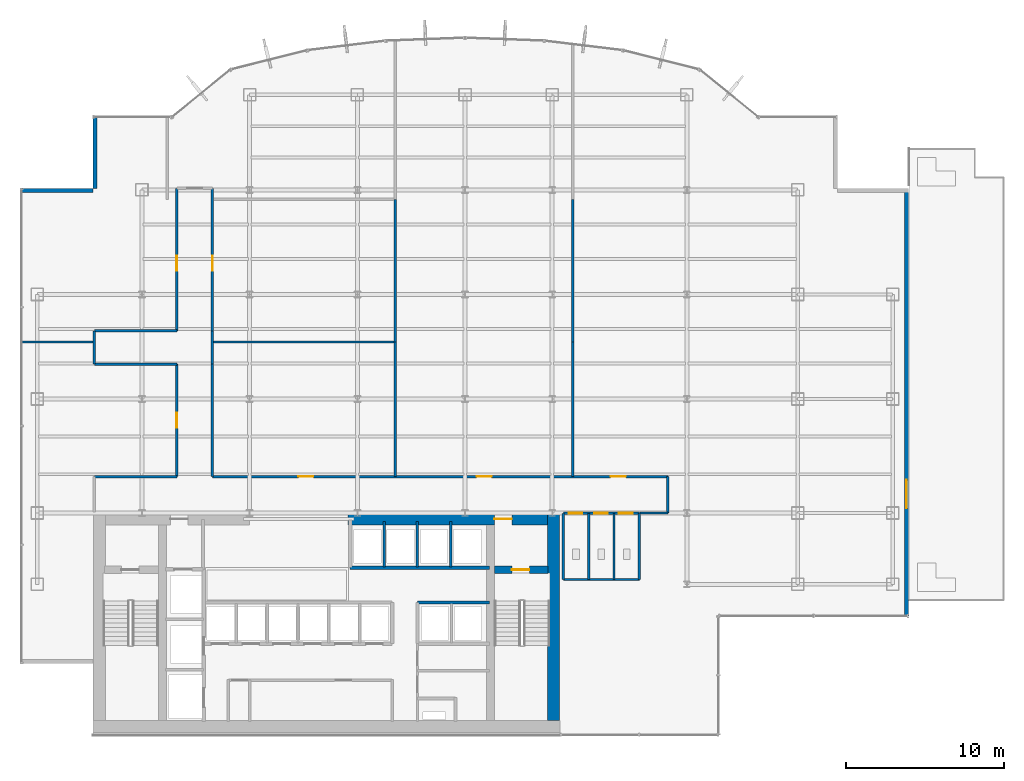
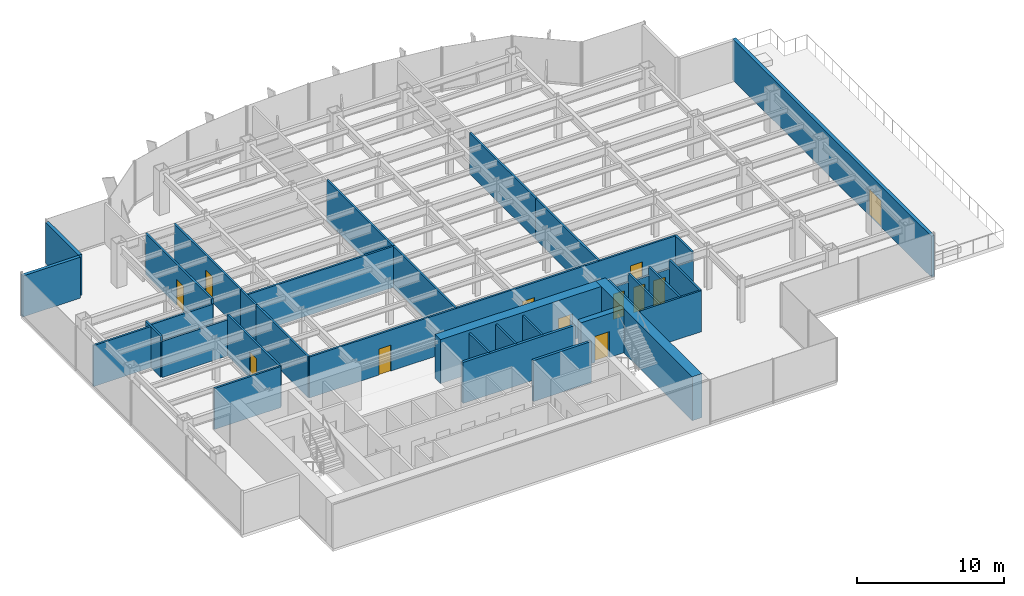
# One storey, part 21 of 25: 35 walls, 12 doors, 12 openings.
"""IFC4 building model written with IfcOpenShell, lengths in metres."""

from ifc_helpers import new_model, si_unit, derived_unit, direction, frame, frame_2d, origin, place, context, subcontext, project, spatial, rectangle, extrude, source, transform, mapped, material, layer, layer_set, type_object, element, fill, save


model = new_model("IFC4")

# Units and contexts
model_context = context("Model", 3, precision=1e-05, world=origin(), true_north=direction((0.0, 1.0)))
body_context = subcontext(model_context, "Body", "Model", "MODEL_VIEW")
ifc_project = project(units=[si_unit("LENGTHUNIT", "METRE"), si_unit("AREAUNIT", "SQUARE_METRE"), si_unit("VOLUMEUNIT", "CUBIC_METRE"), si_unit("PLANEANGLEUNIT", "RADIAN"), si_unit("MASSUNIT", "GRAM", prefix="KILO"), derived_unit("THERMALTRANSMITTANCEUNIT", [(si_unit("POWERUNIT", "WATT"), 1), (si_unit("LENGTHUNIT", "METRE"), -2), (si_unit("THERMODYNAMICTEMPERATUREUNIT", "KELVIN"), -1)])], contexts=[model_context])

# Site, building, storey
site_placement = place(None, origin())
site = spatial("IfcSite", under=ifc_project, at=site_placement, CompositionType="ELEMENT")
building_placement = place(site_placement, origin())
building = spatial("IfcBuilding", under=site, at=building_placement, Name="Skarnbrae Concourse Arena and Tower", CompositionType="ELEMENT")
storey_placement = place(building_placement, frame((0.0, 0.0, 88.64990234375)))
storey = spatial("IfcBuildingStorey", under=building, at=storey_placement, Name="L21", CompositionType="ELEMENT", Elevation=88.64990234375)

# Wall, opening, door
ifc_material_1 = material(Name="Concrete 50 MPa (C50/60)", Category="concrete")
ifc_layer_1 = layer(ifc_material_1, 0.449951171875)
ifc_layer_set_1 = layer_set([ifc_layer_1], Name="Concrete 50 MPa (C50/60)")
wall_type_1 = type_object("IfcWallType", Name="WALL-CORE-450-C50", PredefinedType="SHEAR", material=ifc_layer_set_1)
shared_shape_1 = source(origin(), body_context, "Body", "SweptSolid", [
    extrude(rectangle(XDim=3.389892578125, YDim=0.449951171875, at=frame_2d((1.69482421875, 0.0))), origin(), (0.0, 0.0, 1.0), 3.650146484375),
])
wall_1_placement = place(storey_placement, frame((29.860107421875, 10.419921875, 0.0), z_axis=(0.0, 0.0, 1.0), x_axis=(1.0, 0.0, 0.0)))
wall_1 = element("IfcWall", 1, at=wall_1_placement, inside=storey, type_object=wall_type_1, Name="L21 Rear core shear wall CW-ST2-N", PredefinedType="SHEAR", context=body_context, shape_type="MappedRepresentation", body=[
    mapped(shared_shape_1, transform((0.0, 0.0, 0.0))),
])
opening_1_placement = place(wall_1_placement, frame((1.10009765625, 0.0, 0.0)))
opening_1 = element("IfcOpeningElement", 2, at=opening_1_placement, cuts=wall_1, Name="Opening DT-03", PredefinedType="OPENING", context=body_context, shape_type="SweptSolid", body=[
    extrude(rectangle(XDim=1.10009765625, YDim=2.14990234375, at=frame_2d((0.550048828125, 1.074951171875))), frame((0.0, 0.23486328125, 0.0), z_axis=(0.0, -1.0, 0.0), x_axis=(1.0, 0.0, 0.0)), (0.0, 0.0, 1.0), 0.469970703125),
])
ifc_material_2 = material(Name="Steel CSA G40.21 350W", Category="steel")
door_type_1 = type_object("IfcDoorType", Name="DOOR-FIRE-1100-90M", OperationType="NOTDEFINED", PredefinedType="DOOR", material=ifc_material_2)
shared_shape_2 = source(origin(), body_context, "Body", "SweptSolid", [
    extrude(rectangle(XDim=1.10009765625, YDim=2.14990234375, at=frame_2d((0.550048828125, 1.074951171875))), frame((0.0, 0.02490234375, 0.0), z_axis=(0.0, -1.0, 0.0), x_axis=(1.0, 0.0, 0.0)), (0.0, 0.0, 1.0), 0.050048828125),
])
door_1_placement = place(opening_1_placement, frame((1.10009765625, 0.0, 0.0), z_axis=(0.0, 0.0, 1.0), x_axis=(-1.0, 0.0, 0.0)))
door_1 = element("IfcDoor", 3, at=door_1_placement, inside=storey, type_object=door_type_1, Name="D-0734 Stair ST-2 Door", OperationType="SINGLE_SWING_RIGHT", OverallHeight=2.14990234375, OverallWidth=1.10009765625, PredefinedType="DOOR", context=body_context, shape_type="MappedRepresentation", body=[
    mapped(shared_shape_2, transform((0.0, 0.0, 0.0))),
])
fill(opening_1, door_1)

# Wall
ifc_material_3 = material(Name="Concrete 60 MPa (C60/75)", Category="concrete")
ifc_layer_2 = layer(ifc_material_3, 0.75)
ifc_layer_set_2 = layer_set([ifc_layer_2], Name="Concrete 60 MPa (C60/75)")
wall_type_2 = type_object("IfcWallType", Name="WALL-CORE-750-C60", PredefinedType="SHEAR", material=ifc_layer_set_2)
shared_shape_3 = source(origin(), body_context, "Body", "SweptSolid", [
    extrude(rectangle(XDim=13.10009765625, YDim=0.75, at=frame_2d((6.550048828125, 0.0))), origin(), (0.0, 0.0, 1.0), 3.650146484375),
])
wall_2_placement = place(storey_placement, frame((33.574951171875, 0.89990234375, 0.0), z_axis=(0.0, 0.0, 1.0), x_axis=(0.0, 1.0, 0.0)))
element("IfcWall", 4, at=wall_2_placement, inside=storey, type_object=wall_type_2, Name="L21 Rear core shear wall CW-E", PredefinedType="SHEAR", context=body_context, shape_type="MappedRepresentation", body=[
    mapped(shared_shape_3, transform((0.0, 0.0, 0.0))),
])

# Wall, opening, door
shared_shape_4 = source(origin(), body_context, "Body", "SweptSolid", [
    extrude(rectangle(XDim=12.599853515625, YDim=0.75, at=frame_2d((6.2998046875, 0.0))), origin(), (0.0, 0.0, 1.0), 3.650146484375),
])
wall_3_placement = place(storey_placement, frame((20.60009765625, 13.625, 0.0), z_axis=(0.0, 0.0, 1.0), x_axis=(1.0, 0.0, 0.0)))
wall_3 = element("IfcWall", 5, at=wall_3_placement, inside=storey, type_object=wall_type_2, Name="L21 Rear core shear wall CW-NE", PredefinedType="SHEAR", context=body_context, shape_type="MappedRepresentation", body=[
    mapped(shared_shape_4, transform((0.0, 0.0, 0.0))),
])
opening_2_placement = place(wall_3_placement, frame((9.25, 0.0, 0.0)))
opening_2 = element("IfcOpeningElement", 6, at=opening_2_placement, cuts=wall_3, Name="Opening DT-03", PredefinedType="OPENING", context=body_context, shape_type="SweptSolid", body=[
    extrude(rectangle(XDim=1.10009765625, YDim=2.14990234375, at=frame_2d((0.550048828125, 1.074951171875))), frame((0.0, 0.385009765625, 0.0), z_axis=(0.0, -1.0, 0.0), x_axis=(1.0, 0.0, 0.0)), (0.0, 0.0, 1.0), 0.77001953125),
])
door_2_placement = place(opening_2_placement, origin())
door_2 = element("IfcDoor", 7, at=door_2_placement, inside=storey, type_object=door_type_1, Name="D-0736 Stair ST-2 Vestibule Door", OperationType="SINGLE_SWING_LEFT", OverallHeight=2.14990234375, OverallWidth=1.10009765625, PredefinedType="DOOR", context=body_context, shape_type="MappedRepresentation", body=[
    mapped(shared_shape_2, transform((0.0, 0.0, 0.0))),
])
fill(opening_2, door_2)

# Walls
ifc_material_4 = material(Name="Precast concrete 40 MPa (C40/50)", Category="concrete")
ifc_layer_3 = layer(ifc_material_4, 0.25)
ifc_layer_set_3 = layer_set([ifc_layer_3], Name="Precast concrete 40 MPa (C40/50)")
wall_type_3 = type_object("IfcWallType", Name="WALL-EXT-SPANDREL-250", PredefinedType="STANDARD", material=ifc_layer_set_3)
shared_shape_5 = source(origin(), body_context, "Body", "SweptSolid", [
    extrude(rectangle(XDim=4.5, YDim=0.25, at=frame_2d((2.25, 0.0))), origin(), (0.0, 0.0, 1.0), 3.400146484375),
])
for number, where, z_axis, x_axis, name in (
    (8, (4.625, 39.0, 0.0), (0.0, 0.0, 1.0), (0.0, -1.0, 0.0), "L21 Notched corner insulated return wall 17"),
    (9, (4.5, 34.375, 0.0), (0.0, 0.0, 1.0), (-1.0, 0.0, 0.0), "L21 Notched corner insulated return wall 18"),
):
    element("IfcWall", number, at=place(storey_placement, frame(where, z_axis=z_axis, x_axis=x_axis)), inside=storey, type_object=wall_type_3, Name=name, PredefinedType="STANDARD", context=body_context, shape_type="MappedRepresentation", body=[
        mapped(shared_shape_5, transform((0.0, 0.0, 0.0))),
    ])

# Wall, opening, door
shared_shape_6 = source(origin(), body_context, "Body", "SweptSolid", [
    extrude(rectangle(XDim=27.0, YDim=0.25, at=frame_2d((13.5, 0.0))), origin(), (0.0, 0.0, 1.0), 3.400146484375),
])
wall_4_placement = place(storey_placement, frame((55.875, 7.5, 0.0), z_axis=(0.0, 0.0, 1.0), x_axis=(0.0, 1.0, 0.0)))
wall_4 = element("IfcWall", 10, at=wall_4_placement, inside=storey, type_object=wall_type_3, Name="L21 East terrace access facade wall", PredefinedType="STANDARD", context=body_context, shape_type="MappedRepresentation", body=[
    mapped(shared_shape_6, transform((0.0, 0.0, 0.0))),
])
opening_3_placement = place(wall_4_placement, frame((6.800048828125, 0.0, 0.0)))
opening_3 = element("IfcOpeningElement", 11, at=opening_3_placement, cuts=wall_4, Name="Opening DT-02", PredefinedType="OPENING", context=body_context, shape_type="SweptSolid", body=[
    extrude(rectangle(XDim=1.800048828125, YDim=2.199951171875, at=frame_2d((0.89990234375, 1.10009765625))), frame((0.0, 0.135009765625, 0.0), z_axis=(0.0, -1.0, 0.0), x_axis=(1.0, 0.0, 0.0)), (0.0, 0.0, 1.0), 0.27001953125),
])
ifc_material_5 = material(Name="Bronze anodised aluminium 6063-T6", Category="aluminium")
door_type_2 = type_object("IfcDoorType", Name="DOOR-TERRACE-1800", OperationType="DOUBLE_DOOR_SINGLE_SWING", PredefinedType="DOOR", material=ifc_material_5)
shared_shape_7 = source(origin(), body_context, "Body", "SweptSolid", [
    extrude(rectangle(XDim=1.800048828125, YDim=2.199951171875, at=frame_2d((0.89990234375, 1.10009765625))), frame((0.0, 0.02490234375, 0.0), z_axis=(0.0, -1.0, 0.0), x_axis=(1.0, 0.0, 0.0)), (0.0, 0.0, 1.0), 0.050048828125),
])
door_3_placement = place(opening_3_placement, frame((1.800048828125, 0.0, 0.0), z_axis=(0.0, 0.0, 1.0), x_axis=(-1.0, 0.0, 0.0)))
door_3 = element("IfcDoor", 12, at=door_3_placement, inside=storey, type_object=door_type_2, Name="D-0037 L21 Setback Terrace Door", OperationType="DOUBLE_DOOR_SINGLE_SWING", OverallHeight=2.199951171875, OverallWidth=1.800048828125, PredefinedType="DOOR", context=body_context, shape_type="MappedRepresentation", body=[
    mapped(shared_shape_7, transform((0.0, 0.0, 0.0))),
])
fill(opening_3, door_3)

# Walls
ifc_material_6 = material(Name="Gypsum board on cold-formed steel studs", Category="steel")
ifc_layer_4 = layer(ifc_material_6, 0.199951171875)
ifc_layer_set_4 = layer_set([ifc_layer_4], Name="Gypsum board on cold-formed steel studs")
wall_type_4 = type_object("IfcWallType", Name="WALL-PART-200-2HR", PredefinedType="PARTITIONING", material=ifc_layer_set_4)
shared_shape_8 = source(origin(), body_context, "Body", "SweptSolid", [
    extrude(rectangle(XDim=8.800048828125, YDim=0.199951171875, at=frame_2d((4.39990234375, 0.0))), origin(), (0.0, 0.0, 1.0), 3.400146484375),
])
wall_5_placement = place(storey_placement, frame((20.75, 10.550048828125, 0.0), z_axis=(0.0, 0.0, 1.0), x_axis=(1.0, 0.0, 0.0)))
element("IfcWall", 13, at=wall_5_placement, inside=storey, type_object=wall_type_4, Name="L21 Interior partition wall W-L21-B3N-S", PredefinedType="PARTITIONING", context=body_context, shape_type="MappedRepresentation", body=[
    mapped(shared_shape_8, transform((0.0, 0.0, 0.0))),
])
ifc_layer_5 = layer(ifc_material_6, 0.14990234375)
ifc_layer_set_5 = layer_set([ifc_layer_5], Name="Gypsum board on cold-formed steel studs")
wall_type_5 = type_object("IfcWallType", Name="WALL-PART-150", PredefinedType="PARTITIONING", material=ifc_layer_set_5)
shared_shape_9 = source(origin(), body_context, "Body", "SweptSolid", [
    extrude(rectangle(XDim=2.849853515625, YDim=0.14990234375, at=frame_2d((1.4248046875, 0.0))), origin(), (0.0, 0.0, 1.0), 3.400146484375),
])
for number, where, z_axis, x_axis, name in (
    (14, (22.889892578125, 10.60009765625, 0.0), (0.0, 0.0, 1.0), (0.0, 1.0, 0.0), "L21 Interior partition wall W-L21-B3N-P1"),
    (15, (24.989990234375, 10.60009765625, 0.0), (0.0, 0.0, 1.0), (0.0, 1.0, 0.0), "L21 Interior partition wall W-L21-B3N-P2"),
    (16, (27.090087890625, 10.60009765625, 0.0), (0.0, 0.0, 1.0), (0.0, 1.0, 0.0), "L21 Interior partition wall W-L21-B3N-P3"),
):
    element("IfcWall", number, at=place(storey_placement, frame(where, z_axis=z_axis, x_axis=x_axis)), inside=storey, type_object=wall_type_5, Name=name, PredefinedType="PARTITIONING", context=body_context, shape_type="MappedRepresentation", body=[
        mapped(shared_shape_9, transform((0.0, 0.0, 0.0))),
    ])
shared_shape_10 = source(origin(), body_context, "Body", "SweptSolid", [
    extrude(rectangle(XDim=4.550048828125, YDim=0.199951171875, at=frame_2d((2.27490234375, 0.0))), origin(), (0.0, 0.0, 1.0), 3.400146484375),
])
wall_6_placement = place(storey_placement, frame((25.0, 8.35009765625, 0.0), z_axis=(0.0, 0.0, 1.0), x_axis=(1.0, 0.0, 0.0)))
element("IfcWall", 17, at=wall_6_placement, inside=storey, type_object=wall_type_4, Name="L21 Interior partition wall W-L21-B3S-N", PredefinedType="PARTITIONING", context=body_context, shape_type="MappedRepresentation", body=[
    mapped(shared_shape_10, transform((0.0, 0.0, 0.0))),
])
shared_shape_11 = source(origin(), body_context, "Body", "SweptSolid", [
    extrude(rectangle(XDim=4.800048828125, YDim=0.14990234375, at=frame_2d((2.39990234375, 0.0))), origin(), (0.0, 0.0, 1.0), 3.400146484375),
])
wall_7_placement = place(storey_placement, frame((34.199951171875, 9.800048828125, 0.0), z_axis=(0.0, 0.0, 1.0), x_axis=(1.0, 0.0, 0.0)))
element("IfcWall", 18, at=wall_7_placement, inside=storey, type_object=wall_type_5, Name="L21 Interior partition wall W-L21-WC-S", PredefinedType="PARTITIONING", context=body_context, shape_type="MappedRepresentation", body=[
    mapped(shared_shape_11, transform((0.0, 0.0, 0.0))),
])
shared_shape_12 = source(origin(), body_context, "Body", "SweptSolid", [
    extrude(rectangle(XDim=4.179931640625, YDim=0.14990234375, at=frame_2d((2.08984375, 0.0))), origin(), (0.0, 0.0, 1.0), 3.400146484375),
])
for number, where, z_axis, x_axis, name in (
    (19, (39.0, 9.800048828125, 0.0), (0.0, 0.0, 1.0), (0.0, 1.0, 0.0), "L21 Interior partition wall W-L21-WC-E"),
    (20, (34.199951171875, 9.800048828125, 0.0), (0.0, 0.0, 1.0), (0.0, 1.0, 0.0), "L21 Interior partition wall W-L21-WC-W"),
    (21, (35.800048828125, 9.800048828125, 0.0), (0.0, 0.0, 1.0), (0.0, 1.0, 0.0), "L21 Interior partition wall W-L21-WC-D1"),
    (22, (37.39990234375, 9.800048828125, 0.0), (0.0, 0.0, 1.0), (0.0, 1.0, 0.0), "L21 Interior partition wall W-L21-WC-D2"),
):
    element("IfcWall", number, at=place(storey_placement, frame(where, z_axis=z_axis, x_axis=x_axis)), inside=storey, type_object=wall_type_5, Name=name, PredefinedType="PARTITIONING", context=body_context, shape_type="MappedRepresentation", body=[
        mapped(shared_shape_12, transform((0.0, 0.0, 0.0))),
    ])

# Wall, openings, doors
shared_shape_13 = source(origin(), body_context, "Body", "SweptSolid", [
    extrude(rectangle(XDim=4.800048828125, YDim=0.14990234375, at=frame_2d((2.39990234375, 0.0))), origin(), (0.0, 0.0, 1.0), 2.7021484375),
])
wall_8_placement = place(storey_placement, frame((34.199951171875, 13.97998046875, 0.0), z_axis=(0.0, 0.0, 1.0), x_axis=(1.0, 0.0, 0.0)))
wall_8 = element("IfcWall", 23, at=wall_8_placement, inside=storey, type_object=wall_type_5, Name="L21 Interior partition wall W-L21-WC-N", PredefinedType="PARTITIONING", context=body_context, shape_type="MappedRepresentation", body=[
    mapped(shared_shape_13, transform((0.0, 0.0, 0.0))),
])
opening_4_placement = place(wall_8_placement, frame((0.35009765625, 0.0, 0.0)))
opening_4 = element("IfcOpeningElement", 24, at=opening_4_placement, cuts=wall_8, Name="Opening DT-06", PredefinedType="OPENING", context=body_context, shape_type="SweptSolid", body=[
    extrude(rectangle(XDim=0.85009765625, YDim=2.10009765625, at=frame_2d((0.425048828125, 1.050048828125))), frame((0.0, 0.0849609375, 0.0), z_axis=(0.0, -1.0, 0.0), x_axis=(1.0, 0.0, 0.0)), (0.0, 0.0, 1.0), 0.169921875),
])
opening_5_placement = place(wall_8_placement, frame((1.949951171875, 0.0, 0.0)))
opening_5 = element("IfcOpeningElement", 25, at=opening_5_placement, cuts=wall_8, Name="Opening DT-06", PredefinedType="OPENING", context=body_context, shape_type="SweptSolid", body=[
    extrude(rectangle(XDim=0.85009765625, YDim=2.10009765625, at=frame_2d((0.425048828125, 1.050048828125))), frame((0.0, 0.0849609375, 0.0), z_axis=(0.0, -1.0, 0.0), x_axis=(1.0, 0.0, 0.0)), (0.0, 0.0, 1.0), 0.169921875),
])
opening_6_placement = place(wall_8_placement, frame((3.5, 0.0, 0.0)))
opening_6 = element("IfcOpeningElement", 26, at=opening_6_placement, cuts=wall_8, Name="Opening DT-05", PredefinedType="OPENING", context=body_context, shape_type="SweptSolid", body=[
    extrude(rectangle(XDim=0.89990234375, YDim=2.10009765625, at=frame_2d((0.449951171875, 1.050048828125))), frame((0.0, 0.0849609375, 0.0), z_axis=(0.0, -1.0, 0.0), x_axis=(1.0, 0.0, 0.0)), (0.0, 0.0, 1.0), 0.169921875),
])
ifc_material_7 = material(Name="Architectural oak veneer timber leaf", Category="wood")
door_type_3 = type_object("IfcDoorType", Name="DOOR-INT-850", OperationType="NOTDEFINED", PredefinedType="DOOR", material=ifc_material_7)
shared_shape_14 = source(origin(), body_context, "Body", "SweptSolid", [
    extrude(rectangle(XDim=0.85009765625, YDim=2.10009765625, at=frame_2d((0.425048828125, 1.050048828125))), frame((0.0, 0.02490234375, 0.0), z_axis=(0.0, -1.0, 0.0), x_axis=(1.0, 0.0, 0.0)), (0.0, 0.0, 1.0), 0.050048828125),
])
door_4_placement = place(opening_4_placement, frame((0.85009765625, 0.0, 0.0), z_axis=(0.0, 0.0, 1.0), x_axis=(-1.0, 0.0, 0.0)))
door_4 = element("IfcDoor", 27, at=door_4_placement, inside=storey, type_object=door_type_3, Name="D-0750 Male Washroom Door", OperationType="SINGLE_SWING_LEFT", OverallHeight=2.10009765625, OverallWidth=0.85009765625, PredefinedType="DOOR", context=body_context, shape_type="MappedRepresentation", body=[
    mapped(shared_shape_14, transform((0.0, 0.0, 0.0))),
])
fill(opening_4, door_4)
door_5_placement = place(opening_5_placement, frame((0.85009765625, 0.0, 0.0), z_axis=(0.0, 0.0, 1.0), x_axis=(-1.0, 0.0, 0.0)))
door_5 = element("IfcDoor", 28, at=door_5_placement, inside=storey, type_object=door_type_3, Name="D-0751 Female Washroom Door", OperationType="SINGLE_SWING_RIGHT", OverallHeight=2.10009765625, OverallWidth=0.85009765625, PredefinedType="DOOR", context=body_context, shape_type="MappedRepresentation", body=[
    mapped(shared_shape_14, transform((0.0, 0.0, 0.0))),
])
fill(opening_5, door_5)
door_type_4 = type_object("IfcDoorType", Name="DOOR-INT-900", OperationType="NOTDEFINED", PredefinedType="DOOR", material=ifc_material_7)
shared_shape_15 = source(origin(), body_context, "Body", "SweptSolid", [
    extrude(rectangle(XDim=0.89990234375, YDim=2.10009765625, at=frame_2d((0.449951171875, 1.050048828125))), frame((0.0, 0.02490234375, 0.0), z_axis=(0.0, -1.0, 0.0), x_axis=(1.0, 0.0, 0.0)), (0.0, 0.0, 1.0), 0.050048828125),
])
door_6_placement = place(opening_6_placement, frame((0.89990234375, 0.0, 0.0), z_axis=(0.0, 0.0, 1.0), x_axis=(-1.0, 0.0, 0.0)))
door_6 = element("IfcDoor", 29, at=door_6_placement, inside=storey, type_object=door_type_4, Name="D-0752 Accessible WC Door", OperationType="SINGLE_SWING_LEFT", OverallHeight=2.10009765625, OverallWidth=0.89990234375, PredefinedType="DOOR", context=body_context, shape_type="MappedRepresentation", body=[
    mapped(shared_shape_15, transform((0.0, 0.0, 0.0))),
])
fill(opening_6, door_6)

# Wall
ifc_layer_6 = layer(ifc_material_6, 0.14990234375)
ifc_layer_set_6 = layer_set([ifc_layer_6], Name="Gypsum board on cold-formed steel studs")
wall_type_6 = type_object("IfcWallType", Name="WALL-PART-150-1HR", PredefinedType="PARTITIONING", material=ifc_layer_set_6)
shared_shape_16 = source(origin(), body_context, "Body", "SweptSolid", [
    extrude(rectangle(XDim=5.199951171875, YDim=0.14990234375, at=frame_2d((2.60009765625, 0.0))), origin(), (0.0, 0.0, 1.0), 3.400146484375),
])
wall_9_placement = place(storey_placement, frame((4.60009765625, 16.300048828125, 0.0), z_axis=(0.0, 0.0, 1.0), x_axis=(1.0, 0.0, 0.0)))
element("IfcWall", 30, at=wall_9_placement, inside=storey, type_object=wall_type_6, Name="L21 Interior partition wall W-L21-COR-02", PredefinedType="PARTITIONING", context=body_context, shape_type="MappedRepresentation", body=[
    mapped(shared_shape_16, transform((0.0, 0.0, 0.0))),
])

# Wall, opening, door
shared_shape_17 = source(origin(), body_context, "Body", "SweptSolid", [
    extrude(rectangle(XDim=7.099853515625, YDim=0.14990234375, at=frame_2d((3.5498046875, 0.0))), origin(), (0.0, 0.0, 1.0), 3.400146484375),
])
wall_10_placement = place(storey_placement, frame((9.800048828125, 16.300048828125, 0.0), z_axis=(0.0, 0.0, 1.0), x_axis=(0.0, 1.0, 0.0)))
wall_10 = element("IfcWall", 31, at=wall_10_placement, inside=storey, type_object=wall_type_6, Name="L21 Interior partition wall W-L21-COR-03", PredefinedType="PARTITIONING", context=body_context, shape_type="MappedRepresentation", body=[
    mapped(shared_shape_17, transform((0.0, 0.0, 0.0))),
])
opening_7_placement = place(wall_10_placement, frame((3.074951171875, 0.0, 0.0)))
opening_7 = element("IfcOpeningElement", 32, at=opening_7_placement, cuts=wall_10, Name="Opening DT-04", PredefinedType="OPENING", context=body_context, shape_type="SweptSolid", body=[
    extrude(rectangle(XDim=0.949951171875, YDim=2.14990234375, at=frame_2d((0.47509765625, 1.074951171875))), frame((0.0, 0.0849609375, 0.0), z_axis=(0.0, -1.0, 0.0), x_axis=(1.0, 0.0, 0.0)), (0.0, 0.0, 1.0), 0.169921875),
])
door_type_5 = type_object("IfcDoorType", Name="DOOR-INT-950-45M", OperationType="NOTDEFINED", PredefinedType="DOOR", material=ifc_material_2)
shared_shape_18 = source(origin(), body_context, "Body", "SweptSolid", [
    extrude(rectangle(XDim=0.949951171875, YDim=2.14990234375, at=frame_2d((0.47509765625, 1.074951171875))), frame((0.0, 0.02490234375, 0.0), z_axis=(0.0, -1.0, 0.0), x_axis=(1.0, 0.0, 0.0)), (0.0, 0.0, 1.0), 0.050048828125),
])
door_7_placement = place(opening_7_placement, origin())
door_7 = element("IfcDoor", 33, at=door_7_placement, inside=storey, type_object=door_type_5, Name="D-0753 L21 Suite Door 01", OperationType="SINGLE_SWING_RIGHT", OverallHeight=2.14990234375, OverallWidth=0.949951171875, PredefinedType="DOOR", context=body_context, shape_type="MappedRepresentation", body=[
    mapped(shared_shape_18, transform((0.0, 0.0, 0.0))),
])
fill(opening_7, door_7)

# Walls
wall_11_placement = place(storey_placement, frame((12.050048828125, 23.39990234375, 0.0), z_axis=(0.0, 0.0, 1.0), x_axis=(0.0, -1.0, 0.0)))
element("IfcWall", 34, at=wall_11_placement, inside=storey, type_object=wall_type_6, Name="L21 Interior partition wall W-L21-COR-11", PredefinedType="PARTITIONING", context=body_context, shape_type="MappedRepresentation", body=[
    mapped(shared_shape_17, transform((0.0, 0.0, 0.0))),
])
shared_shape_19 = source(origin(), body_context, "Body", "SweptSolid", [
    extrude(rectangle(XDim=5.199951171875, YDim=0.14990234375, at=frame_2d((2.60009765625, 0.0))), origin(), (0.0, 0.0, 1.0), 2.988037109375),
])
for number, where, z_axis, x_axis, name in (
    (35, (9.800048828125, 23.39990234375, 0.0), (0.0, 0.0, 1.0), (-1.0, 0.0, 0.0), "L21 Interior partition wall W-L21-COR-04"),
    (36, (4.60009765625, 25.5, 0.0), (0.0, 0.0, 1.0), (1.0, 0.0, 0.0), "L21 Interior partition wall W-L21-COR-06"),
):
    element("IfcWall", number, at=place(storey_placement, frame(where, z_axis=z_axis, x_axis=x_axis)), inside=storey, type_object=wall_type_6, Name=name, PredefinedType="PARTITIONING", context=body_context, shape_type="MappedRepresentation", body=[
        mapped(shared_shape_19, transform((0.0, 0.0, 0.0))),
    ])
shared_shape_20 = source(origin(), body_context, "Body", "SweptSolid", [
    extrude(rectangle(XDim=2.10009765625, YDim=0.14990234375, at=frame_2d((1.050048828125, 0.0))), origin(), (0.0, 0.0, 1.0), 3.400146484375),
])
for number, where, z_axis, x_axis, name in (
    (37, (4.60009765625, 23.39990234375, 0.0), (0.0, 0.0, 1.0), (0.0, 1.0, 0.0), "L21 Interior partition wall W-L21-COR-05"),
    (38, (12.050048828125, 25.5, 0.0), (0.0, 0.0, 1.0), (0.0, -1.0, 0.0), "L21 Interior partition wall W-L21-COR-10"),
):
    element("IfcWall", number, at=place(storey_placement, frame(where, z_axis=z_axis, x_axis=x_axis)), inside=storey, type_object=wall_type_6, Name=name, PredefinedType="PARTITIONING", context=body_context, shape_type="MappedRepresentation", body=[
        mapped(shared_shape_20, transform((0.0, 0.0, 0.0))),
    ])

# Wall, opening, door
shared_shape_21 = source(origin(), body_context, "Body", "SweptSolid", [
    extrude(rectangle(XDim=9.0, YDim=0.14990234375, at=frame_2d((4.5, 0.0))), origin(), (0.0, 0.0, 1.0), 3.400146484375),
])
wall_12_placement = place(storey_placement, frame((9.800048828125, 25.5, 0.0), z_axis=(0.0, 0.0, 1.0), x_axis=(0.0, 1.0, 0.0)))
wall_12 = element("IfcWall", 39, at=wall_12_placement, inside=storey, type_object=wall_type_6, Name="L21 Interior partition wall W-L21-COR-07", PredefinedType="PARTITIONING", context=body_context, shape_type="MappedRepresentation", body=[
    mapped(shared_shape_21, transform((0.0, 0.0, 0.0))),
])
opening_8_placement = place(wall_12_placement, frame((3.804931640625, 0.0, 0.0)))
opening_8 = element("IfcOpeningElement", 40, at=opening_8_placement, cuts=wall_12, Name="Opening DT-04", PredefinedType="OPENING", context=body_context, shape_type="SweptSolid", body=[
    extrude(rectangle(XDim=0.949951171875, YDim=2.14990234375, at=frame_2d((0.47509765625, 1.074951171875))), frame((0.0, 0.0849609375, 0.0), z_axis=(0.0, -1.0, 0.0), x_axis=(1.0, 0.0, 0.0)), (0.0, 0.0, 1.0), 0.169921875),
])
door_8_placement = place(opening_8_placement, origin())
door_8 = element("IfcDoor", 41, at=door_8_placement, inside=storey, type_object=door_type_5, Name="D-0754 L21 Suite Door 02", OperationType="SINGLE_SWING_LEFT", OverallHeight=2.14990234375, OverallWidth=0.949951171875, PredefinedType="DOOR", context=body_context, shape_type="MappedRepresentation", body=[
    mapped(shared_shape_18, transform((0.0, 0.0, 0.0))),
])
fill(opening_8, door_8)

wall_13_placement = place(storey_placement, frame((12.050048828125, 34.5, 0.0), z_axis=(0.0, 0.0, 1.0), x_axis=(0.0, -1.0, 0.0)))
wall_13 = element("IfcWall", 42, at=wall_13_placement, inside=storey, type_object=wall_type_6, Name="L21 Interior partition wall W-L21-COR-09", PredefinedType="PARTITIONING", context=body_context, shape_type="MappedRepresentation", body=[
    mapped(shared_shape_21, transform((0.0, 0.0, 0.0))),
])
opening_9_placement = place(wall_13_placement, frame((4.2451171875, 0.0, 0.0)))
opening_9 = element("IfcOpeningElement", 43, at=opening_9_placement, cuts=wall_13, Name="Opening DT-04", PredefinedType="OPENING", context=body_context, shape_type="SweptSolid", body=[
    extrude(rectangle(XDim=0.949951171875, YDim=2.14990234375, at=frame_2d((0.47509765625, 1.074951171875))), frame((0.0, 0.0849609375, 0.0), z_axis=(0.0, -1.0, 0.0), x_axis=(1.0, 0.0, 0.0)), (0.0, 0.0, 1.0), 0.169921875),
])
door_9_placement = place(opening_9_placement, origin())
door_9 = element("IfcDoor", 44, at=door_9_placement, inside=storey, type_object=door_type_5, Name="D-0757 L21 Suite Door 05", OperationType="SINGLE_SWING_RIGHT", OverallHeight=2.14990234375, OverallWidth=0.949951171875, PredefinedType="DOOR", context=body_context, shape_type="MappedRepresentation", body=[
    mapped(shared_shape_18, transform((0.0, 0.0, 0.0))),
])
fill(opening_9, door_9)

# Walls
for number, where, z_axis, x_axis, name in (
    (45, (23.60009765625, 33.800048828125, 0.0), (0.0, 0.0, 1.0), (0.0, -1.0, 0.0), "L21 Interior partition wall W-L21-DEM-20"),
    (46, (34.800048828125, 33.800048828125, 0.0), (0.0, 0.0, 1.0), (0.0, -1.0, 0.0), "L21 Interior partition wall W-L21-DEM-23"),
):
    element("IfcWall", number, at=place(storey_placement, frame(where, z_axis=z_axis, x_axis=x_axis)), inside=storey, type_object=wall_type_5, Name=name, PredefinedType="PARTITIONING", context=body_context, shape_type="MappedRepresentation", body=[
        mapped(shared_shape_21, transform((0.0, 0.0, 0.0))),
    ])

# Wall, openings, doors
shared_shape_22 = source(origin(), body_context, "Body", "SweptSolid", [
    extrude(rectangle(XDim=28.75, YDim=0.14990234375, at=frame_2d((14.375, 0.0))), origin(), (0.0, 0.0, 1.0), 3.400146484375),
])
wall_14_placement = place(storey_placement, frame((12.050048828125, 16.300048828125, 0.0), z_axis=(0.0, 0.0, 1.0), x_axis=(1.0, 0.0, 0.0)))
wall_14 = element("IfcWall", 47, at=wall_14_placement, inside=storey, type_object=wall_type_6, Name="L21 Interior partition wall W-L21-COR-12", PredefinedType="PARTITIONING", context=body_context, shape_type="MappedRepresentation", body=[
    mapped(shared_shape_22, transform((0.0, 0.0, 0.0))),
])
opening_10_placement = place(wall_14_placement, frame((5.429931640625, 0.0, 0.0)))
opening_10 = element("IfcOpeningElement", 48, at=opening_10_placement, cuts=wall_14, Name="Opening DT-04", PredefinedType="OPENING", context=body_context, shape_type="SweptSolid", body=[
    extrude(rectangle(XDim=0.949951171875, YDim=2.14990234375, at=frame_2d((0.47509765625, 1.074951171875))), frame((0.0, 0.0849609375, 0.0), z_axis=(0.0, -1.0, 0.0), x_axis=(1.0, 0.0, 0.0)), (0.0, 0.0, 1.0), 0.169921875),
])
opening_11_placement = place(wall_14_placement, frame((16.675048828125, 0.0, 0.0)))
opening_11 = element("IfcOpeningElement", 49, at=opening_11_placement, cuts=wall_14, Name="Opening DT-04", PredefinedType="OPENING", context=body_context, shape_type="SweptSolid", body=[
    extrude(rectangle(XDim=0.949951171875, YDim=2.14990234375, at=frame_2d((0.47509765625, 1.074951171875))), frame((0.0, 0.0849609375, 0.0), z_axis=(0.0, -1.0, 0.0), x_axis=(1.0, 0.0, 0.0)), (0.0, 0.0, 1.0), 0.169921875),
])
opening_12_placement = place(wall_14_placement, frame((25.14501953125, 0.0, 0.0)))
opening_12 = element("IfcOpeningElement", 50, at=opening_12_placement, cuts=wall_14, Name="Opening DT-04", PredefinedType="OPENING", context=body_context, shape_type="SweptSolid", body=[
    extrude(rectangle(XDim=0.949951171875, YDim=2.14990234375, at=frame_2d((0.47509765625, 1.074951171875))), frame((0.0, 0.0849609375, 0.0), z_axis=(0.0, -1.0, 0.0), x_axis=(1.0, 0.0, 0.0)), (0.0, 0.0, 1.0), 0.169921875),
])
door_10_placement = place(opening_10_placement, origin())
door_10 = element("IfcDoor", 51, at=door_10_placement, inside=storey, type_object=door_type_5, Name="D-0756 L21 Suite Door 04", OperationType="SINGLE_SWING_LEFT", OverallHeight=2.14990234375, OverallWidth=0.949951171875, PredefinedType="DOOR", context=body_context, shape_type="MappedRepresentation", body=[
    mapped(shared_shape_18, transform((0.0, 0.0, 0.0))),
])
fill(opening_10, door_10)
door_11_placement = place(opening_11_placement, origin())
door_11 = element("IfcDoor", 52, at=door_11_placement, inside=storey, type_object=door_type_5, Name="D-0758 L21 Suite Door 06", OperationType="SINGLE_SWING_LEFT", OverallHeight=2.14990234375, OverallWidth=0.949951171875, PredefinedType="DOOR", context=body_context, shape_type="MappedRepresentation", body=[
    mapped(shared_shape_18, transform((0.0, 0.0, 0.0))),
])
fill(opening_11, door_11)
door_12_placement = place(opening_12_placement, origin())
door_12 = element("IfcDoor", 53, at=door_12_placement, inside=storey, type_object=door_type_5, Name="D-0759 L21 Suite Door 07", OperationType="SINGLE_SWING_RIGHT", OverallHeight=2.14990234375, OverallWidth=0.949951171875, PredefinedType="DOOR", context=body_context, shape_type="MappedRepresentation", body=[
    mapped(shared_shape_18, transform((0.0, 0.0, 0.0))),
])
fill(opening_12, door_12)

# Walls
shared_shape_23 = source(origin(), body_context, "Body", "SweptSolid", [
    extrude(rectangle(XDim=2.300048828125, YDim=0.14990234375, at=frame_2d((1.14990234375, 0.0))), origin(), (0.0, 0.0, 1.0), 3.400146484375),
])
wall_15_placement = place(storey_placement, frame((40.800048828125, 16.300048828125, 0.0), z_axis=(0.0, 0.0, 1.0), x_axis=(0.0, -1.0, 0.0)))
element("IfcWall", 54, at=wall_15_placement, inside=storey, type_object=wall_type_6, Name="L21 Interior partition wall W-L21-COR-13", PredefinedType="PARTITIONING", context=body_context, shape_type="MappedRepresentation", body=[
    mapped(shared_shape_23, transform((0.0, 0.0, 0.0))),
])
shared_shape_24 = source(origin(), body_context, "Body", "SweptSolid", [
    extrude(rectangle(XDim=1.75, YDim=0.14990234375, at=frame_2d((0.875, 0.0))), origin(), (0.0, 0.0, 1.0), 2.7021484375),
])
wall_16_placement = place(storey_placement, frame((40.800048828125, 14.0, 0.0), z_axis=(0.0, 0.0, 1.0), x_axis=(-1.0, 0.0, 0.0)))
element("IfcWall", 55, at=wall_16_placement, inside=storey, type_object=wall_type_6, Name="L21 Interior partition wall W-L21-COR-14", PredefinedType="PARTITIONING", context=body_context, shape_type="MappedRepresentation", body=[
    mapped(shared_shape_24, transform((0.0, 0.0, 0.0))),
])
shared_shape_25 = source(origin(), body_context, "Body", "SweptSolid", [
    extrude(rectangle(XDim=4.580078125, YDim=0.14990234375, at=frame_2d((2.2900390625, 0.0))), origin(), (0.0, 0.0, 1.0), 3.400146484375),
])
wall_17_placement = place(storey_placement, frame((0.02001953125, 24.800048828125, 0.0), z_axis=(0.0, 0.0, 1.0), x_axis=(1.0, 0.0, 0.0)))
element("IfcWall", 56, at=wall_17_placement, inside=storey, type_object=wall_type_5, Name="L21 Interior partition wall W-L21-DEM-15", PredefinedType="PARTITIONING", context=body_context, shape_type="MappedRepresentation", body=[
    mapped(shared_shape_25, transform((0.0, 0.0, 0.0))),
])
shared_shape_26 = source(origin(), body_context, "Body", "SweptSolid", [
    extrude(rectangle(XDim=11.550048828125, YDim=0.14990234375, at=frame_2d((5.77490234375, 0.0))), origin(), (0.0, 0.0, 1.0), 3.400146484375),
])
wall_18_placement = place(storey_placement, frame((12.050048828125, 24.800048828125, 0.0), z_axis=(0.0, 0.0, 1.0), x_axis=(1.0, 0.0, 0.0)))
element("IfcWall", 57, at=wall_18_placement, inside=storey, type_object=wall_type_5, Name="L21 Interior partition wall W-L21-DEM-17", PredefinedType="PARTITIONING", context=body_context, shape_type="MappedRepresentation", body=[
    mapped(shared_shape_26, transform((0.0, 0.0, 0.0))),
])
shared_shape_27 = source(origin(), body_context, "Body", "SweptSolid", [
    extrude(rectangle(XDim=8.5, YDim=0.14990234375, at=frame_2d((4.25, 0.0))), origin(), (0.0, 0.0, 1.0), 3.400146484375),
])
for number, where, z_axis, x_axis, name in (
    (58, (23.60009765625, 24.800048828125, 0.0), (0.0, 0.0, 1.0), (0.0, -1.0, 0.0), "L21 Interior partition wall W-L21-DEM-19"),
    (59, (34.800048828125, 24.800048828125, 0.0), (0.0, 0.0, 1.0), (0.0, -1.0, 0.0), "L21 Interior partition wall W-L21-DEM-24"),
):
    element("IfcWall", number, at=place(storey_placement, frame(where, z_axis=z_axis, x_axis=x_axis)), inside=storey, type_object=wall_type_5, Name=name, PredefinedType="PARTITIONING", context=body_context, shape_type="MappedRepresentation", body=[
        mapped(shared_shape_27, transform((0.0, 0.0, 0.0))),
    ])

save(model, "model.ifc")
